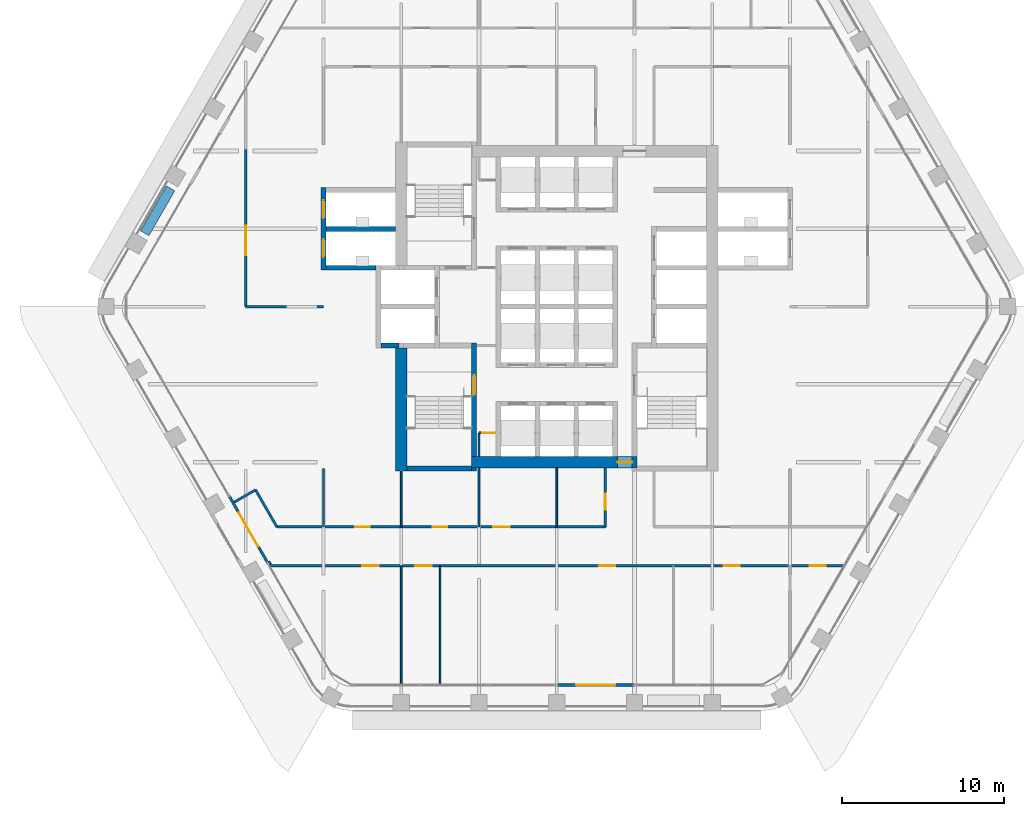
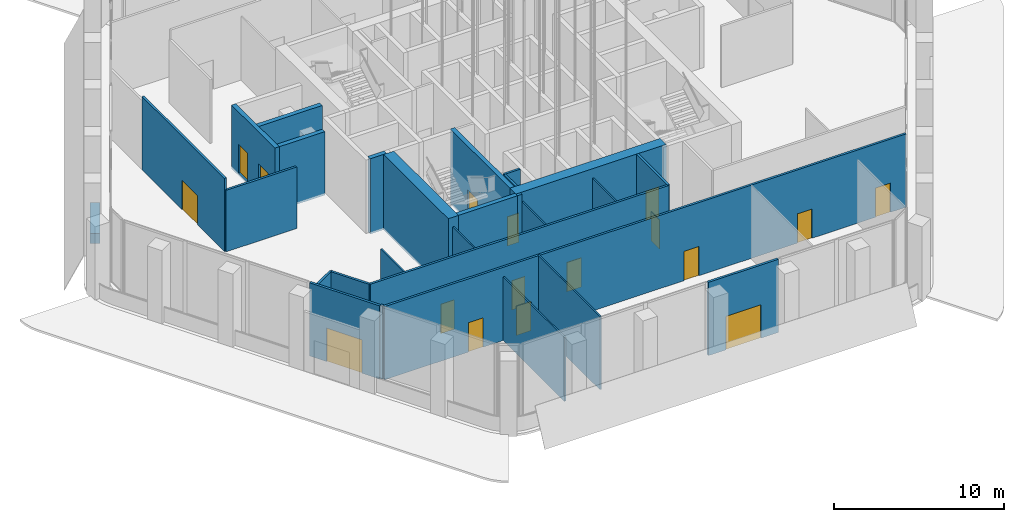
# One storey, part 8 of 42: 28 walls, 17 doors, 17 openings.
"""IFC4 building model written with IfcOpenShell, lengths in metres."""

from ifc_helpers import new_model, si_unit, direction, frame, frame_2d, origin, place, context, subcontext, project, spatial, rectangle, extrude, material, layer, layer_set, type_object, element, fill, save


model = new_model("IFC4")

# Units and contexts
model_context = context("Model", 3, precision=1e-05, world=origin(), true_north=direction((0.0, 1.0)))
body_context = subcontext(model_context, "Body", "Model", "MODEL_VIEW")
ifc_project = project(units=[si_unit("LENGTHUNIT", "METRE"), si_unit("AREAUNIT", "SQUARE_METRE"), si_unit("VOLUMEUNIT", "CUBIC_METRE"), si_unit("PLANEANGLEUNIT", "RADIAN"), si_unit("MASSUNIT", "GRAM", prefix="KILO")], contexts=[model_context])

# Site, building, storey
site_placement = place(None, origin())
site = spatial("IfcSite", under=ifc_project, at=site_placement, CompositionType="ELEMENT")
building_placement = place(site_placement, origin())
building = spatial("IfcBuilding", under=site, at=building_placement, Name="Kolab Exchange Tower", CompositionType="ELEMENT")
storey_placement = place(building_placement, frame((0.0, 0.0, 133.39990234375)))
storey = spatial("IfcBuildingStorey", under=building, at=storey_placement, Name="L26", CompositionType="ELEMENT", Elevation=133.39990234375)

# Wall, opening, door
ifc_material_1 = material(Name="Concrete C60/75", Category="concrete")
ifc_layer_1 = layer(ifc_material_1, 0.699951171875)
ifc_layer_set_1 = layer_set([ifc_layer_1], Name="Concrete C60/75")
wall_type_1 = type_object("IfcWallType", Name="CORE WALL 700 C60/75", PredefinedType="SHEAR", material=ifc_layer_set_1)
wall_1_placement = place(storey_placement, frame((-5.25, -9.60009765625, -0.14990234375), z_axis=(0.0, 0.0, 1.0), x_axis=(1.0, 0.0, 0.0)))
wall_1 = element("IfcWall", 1, at=wall_1_placement, inside=storey, type_object=wall_type_1, Name="wall/L26/core/002", PredefinedType="SHEAR", context=body_context, shape_type="SweptSolid", body=[
    extrude(rectangle(XDim=10.199951171875, YDim=0.699951171875, at=frame_2d((5.10009765625, 0.0))), origin(), (0.0, 0.0, 1.0), 5.39990234375),
])
opening_1_placement = place(wall_1_placement, frame((9.0, 0.0, 0.14990234375)))
opening_1 = element("IfcOpeningElement", 2, at=opening_1_placement, cuts=wall_1, Name="Opening D6-286", PredefinedType="OPENING", context=body_context, shape_type="SweptSolid", body=[
    extrude(rectangle(XDim=0.89990234375, YDim=2.10009765625, at=frame_2d((0.449951171875, 1.050048828125))), frame((0.0, 0.35986328125, 0.0), z_axis=(0.0, -1.0, 0.0), x_axis=(1.0, 0.0, 0.0)), (0.0, 0.0, 1.0), 0.719970703125),
])
ifc_material_2 = material(Name="Steel S235", Category="steel")
door_type_1 = type_object("IfcDoorType", Name="CORE DOOR 900 EI 120", OperationType="SINGLE_SWING_LEFT", PredefinedType="DOOR", material=ifc_material_2)
door_1_placement = place(opening_1_placement, origin())
door_1 = element("IfcDoor", 3, at=door_1_placement, inside=storey, type_object=door_type_1, Name="Core lobby door", OperationType="SINGLE_SWING_LEFT", OverallHeight=2.10009765625, OverallWidth=0.89990234375, PredefinedType="DOOR", context=body_context, shape_type="SweptSolid", body=[
    extrude(rectangle(XDim=0.89990234375, YDim=2.10009765625, at=frame_2d((0.449951171875, 1.050048828125))), frame((0.0, 0.02490234375, 0.0), z_axis=(0.0, -1.0, 0.0), x_axis=(1.0, 0.0, 0.0)), (0.0, 0.0, 1.0), 0.050048828125),
])
fill(opening_1, door_1)

# Wall
wall_2_placement = place(storey_placement, frame((-9.60009765625, -10.14990234375, -0.14990234375), z_axis=(0.0, 0.0, 1.0), x_axis=(0.0, 1.0, 0.0)))
element("IfcWall", 4, at=wall_2_placement, inside=storey, type_object=wall_type_1, Name="wall/L26/core/041", PredefinedType="SHEAR", context=body_context, shape_type="SweptSolid", body=[
    extrude(rectangle(XDim=7.599853515625, YDim=0.699951171875, at=frame_2d((3.7998046875, 0.0))), origin(), (0.0, 0.0, 1.0), 5.39990234375),
])

# Wall, opening, door
ifc_material_3 = material(Name="Aluminium EN AW-6063 T6", Category="aluminium")
ifc_layer_2 = layer(ifc_material_3, 0.159912109375)
ifc_layer_set_2 = layer_set([ifc_layer_2], Name="Aluminium EN AW-6063 T6")
wall_type_2 = type_object("IfcWallType", Name="DOOR SURROUND WALL 160 ALUMINIUM FRAMED", PredefinedType="PARTITIONING", material=ifc_layer_set_2)
wall_3_placement = place(storey_placement, frame((4.77001953125, -23.361572265625, 0.0), z_axis=(0.0, 0.0, 1.0), x_axis=(-1.0, 0.0, 0.0)))
wall_3 = element("IfcWall", 5, at=wall_3_placement, inside=storey, type_object=wall_type_2, Name="Door surround wall", PredefinedType="PARTITIONING", context=body_context, shape_type="SweptSolid", body=[
    extrude(rectangle(XDim=4.739990234375, YDim=0.159912109375, at=frame_2d((2.3701171875, 0.0))), origin(), (0.0, 0.0, 1.0), 5.25),
])
opening_2_placement = place(wall_3_placement, frame((1.169921875, 0.0, 0.0)))
opening_2 = element("IfcOpeningElement", 6, at=opening_2_placement, cuts=wall_3, Name="Opening GD1-058", PredefinedType="OPENING", context=body_context, shape_type="SweptSolid", body=[
    extrude(rectangle(XDim=2.39990234375, YDim=2.39990234375, at=frame_2d((1.199951171875, 1.199951171875))), frame((0.0, 0.08984375, 0.0), z_axis=(0.0, -1.0, 0.0), x_axis=(1.0, 0.0, 0.0)), (0.0, 0.0, 1.0), 0.179931640625),
])
door_type_2 = type_object("IfcDoorType", Name="LOGGIA SLIDING GLASS DOOR 2400 X 2400", OperationType="DOUBLE_DOOR_SINGLE_SWING", PredefinedType="DOOR", material=ifc_material_3)
door_2_placement = place(opening_2_placement, origin())
door_2 = element("IfcDoor", 7, at=door_2_placement, inside=storey, type_object=door_type_2, Name="Loggia door", OperationType="DOUBLE_DOOR_SLIDING", OverallHeight=2.39990234375, OverallWidth=2.39990234375, PredefinedType="DOOR", context=body_context, shape_type="SweptSolid", body=[
    extrude(rectangle(XDim=2.39990234375, YDim=2.39990234375, at=frame_2d((1.199951171875, 1.199951171875))), frame((0.0, 0.02490234375, 0.0), z_axis=(0.0, -1.0, 0.0), x_axis=(1.0, 0.0, 0.0)), (0.0, 0.0, 1.0), 0.050048828125),
])
fill(opening_2, door_2)

wall_4_placement = place(storey_placement, frame((-17.8466796875, -15.811767578125, 0.0), z_axis=(0.0, 0.0, 1.0), x_axis=(-0.5000167099, 0.866015756104, 0.0)))
wall_4 = element("IfcWall", 8, at=wall_4_placement, inside=storey, type_object=wall_type_2, Name="Door surround wall", PredefinedType="PARTITIONING", context=body_context, shape_type="SweptSolid", body=[
    extrude(rectangle(XDim=4.739990234375, YDim=0.159912109375, at=frame_2d((2.3701171875, 0.0))), origin(), (0.0, 0.0, 1.0), 5.25),
])
opening_3_placement = place(wall_4_placement, frame((1.169921875, 0.0, 0.0)))
opening_3 = element("IfcOpeningElement", 9, at=opening_3_placement, cuts=wall_4, Name="Opening GD1-059", PredefinedType="OPENING", context=body_context, shape_type="SweptSolid", body=[
    extrude(rectangle(XDim=2.39990234375, YDim=2.39990234375, at=frame_2d((1.199951171875, 1.199951171875))), frame((0.0, 0.08984375, 0.0), z_axis=(0.0, -1.0, 0.0), x_axis=(1.0, 0.0, 0.0)), (0.0, 0.0, 1.0), 0.179931640625),
])
door_3_placement = place(opening_3_placement, origin())
door_3 = element("IfcDoor", 10, at=door_3_placement, inside=storey, type_object=door_type_2, Name="Loggia door", OperationType="DOUBLE_DOOR_SLIDING", OverallHeight=2.39990234375, OverallWidth=2.39990234375, PredefinedType="DOOR", context=body_context, shape_type="SweptSolid", body=[
    extrude(rectangle(XDim=2.39990234375, YDim=2.39990234375, at=frame_2d((1.199951171875, 1.199951171875))), frame((0.0, 0.02490234375, 0.0), z_axis=(0.0, -1.0, 0.0), x_axis=(1.0, 0.0, 0.0)), (0.0, 0.0, 1.0), 0.050048828125),
])
fill(opening_3, door_3)

# Walls
wall_5_placement = place(storey_placement, frame((-17.780029296875, -15.772216796875, 0.0), z_axis=(0.0, 0.0, 1.0), x_axis=(0.499841654076, -0.866116805547, 0.0)))
element("IfcWall", 11, at=wall_5_placement, inside=storey, type_object=wall_type_2, Name="Door surround wall", PredefinedType="PARTITIONING", context=body_context, shape_type="SweptSolid", body=[
    extrude(rectangle(XDim=0.17724609375, YDim=0.159912109375, at=frame_2d((0.088623046875, 0.0))), origin(), (0.0, 0.0, 1.0), 5.25),
])
ifc_material_4 = material(Name="Concrete C50/60", Category="concrete")
ifc_layer_3 = layer(ifc_material_4, 0.300048828125)
ifc_layer_set_3 = layer_set([ifc_layer_3], Name="Concrete C50/60")
wall_type_3 = type_object("IfcWallType", Name="LIFT SHAFT WALL 300 C50/60", PredefinedType="STANDARD", material=ifc_layer_set_3)
wall_6_placement = place(storey_placement, frame((-10.85009765625, -2.39990234375, -0.14990234375), z_axis=(0.0, 0.0, 1.0), x_axis=(1.0, 0.0, 0.0)))
element("IfcWall", 12, at=wall_6_placement, inside=storey, type_object=wall_type_3, Name="wall/L26/core/009", PredefinedType="STANDARD", context=body_context, shape_type="SweptSolid", body=[
    extrude(rectangle(XDim=1.10009765625, YDim=0.300048828125, at=frame_2d((0.550048828125, 0.0))), origin(), (0.0, 0.0, 1.0), 5.39990234375),
])
wall_7_placement = place(storey_placement, frame((-14.25, 2.39990234375, -0.14990234375), z_axis=(0.0, 0.0, 1.0), x_axis=(1.0, 0.0, 0.0)))
element("IfcWall", 13, at=wall_7_placement, inside=storey, type_object=wall_type_3, Name="wall/L26/core/019", PredefinedType="STANDARD", context=body_context, shape_type="SweptSolid", body=[
    extrude(rectangle(XDim=3.10009765625, YDim=0.300048828125, at=frame_2d((1.550048828125, 0.0))), origin(), (0.0, 0.0, 1.0), 4.550048828125),
])
wall_8_placement = place(storey_placement, frame((-14.25, 4.800048828125, -0.14990234375), z_axis=(0.0, 0.0, 1.0), x_axis=(1.0, 0.0, 0.0)))
element("IfcWall", 14, at=wall_8_placement, inside=storey, type_object=wall_type_3, Name="wall/L26/core/028", PredefinedType="STANDARD", context=body_context, shape_type="SweptSolid", body=[
    extrude(rectangle(XDim=4.300048828125, YDim=0.300048828125, at=frame_2d((2.14990234375, 0.0))), origin(), (0.0, 0.0, 1.0), 4.550048828125),
])

# Wall, openings, doors
wall_9_placement = place(storey_placement, frame((-14.39990234375, 2.25, -0.14990234375), z_axis=(0.0, 0.0, 1.0), x_axis=(0.0, 1.0, 0.0)))
wall_9 = element("IfcWall", 15, at=wall_9_placement, inside=storey, type_object=wall_type_3, Name="wall/L26/core/039", PredefinedType="STANDARD", context=body_context, shape_type="SweptSolid", body=[
    extrude(rectangle(XDim=5.10009765625, YDim=0.300048828125, at=frame_2d((2.550048828125, 0.0))), origin(), (0.0, 0.0, 1.0), 4.550048828125),
])
opening_4_placement = place(wall_9_placement, frame((0.800048828125, 0.0, 0.14990234375)))
opening_4 = element("IfcOpeningElement", 16, at=opening_4_placement, cuts=wall_9, Name="Opening LD1-107", PredefinedType="OPENING", context=body_context, shape_type="SweptSolid", body=[
    extrude(rectangle(XDim=1.10009765625, YDim=2.10009765625, at=frame_2d((0.550048828125, 1.050048828125))), frame((0.0, 0.16015625, 0.0), z_axis=(0.0, -1.0, 0.0), x_axis=(1.0, 0.0, 0.0)), (0.0, 0.0, 1.0), 0.320068359375),
])
opening_5_placement = place(wall_9_placement, frame((3.199951171875, 0.0, 0.14990234375)))
opening_5 = element("IfcOpeningElement", 17, at=opening_5_placement, cuts=wall_9, Name="Opening LD1-108", PredefinedType="OPENING", context=body_context, shape_type="SweptSolid", body=[
    extrude(rectangle(XDim=1.10009765625, YDim=2.10009765625, at=frame_2d((0.550048828125, 1.050048828125))), frame((0.0, 0.16015625, 0.0), z_axis=(0.0, -1.0, 0.0), x_axis=(1.0, 0.0, 0.0)), (0.0, 0.0, 1.0), 0.320068359375),
])
ifc_material_5 = material(Name="Stainless steel 316", Category="steel")
door_type_3 = type_object("IfcDoorType", Name="LANDING DOOR 1100 PASSENGER", OperationType="DOUBLE_DOOR_SLIDING", PredefinedType="DOOR", material=ifc_material_5)
door_4_placement = place(opening_4_placement, origin())
door_4 = element("IfcDoor", 18, at=door_4_placement, inside=storey, type_object=door_type_3, Name="Landing door SH3", OperationType="DOUBLE_DOOR_SLIDING", OverallHeight=2.10009765625, OverallWidth=1.10009765625, PredefinedType="DOOR", context=body_context, shape_type="SweptSolid", body=[
    extrude(rectangle(XDim=1.10009765625, YDim=2.10009765625, at=frame_2d((0.550048828125, 1.050048828125))), frame((0.0, 0.02490234375, 0.0), z_axis=(0.0, -1.0, 0.0), x_axis=(1.0, 0.0, 0.0)), (0.0, 0.0, 1.0), 0.050048828125),
])
fill(opening_4, door_4)
door_5_placement = place(opening_5_placement, origin())
door_5 = element("IfcDoor", 19, at=door_5_placement, inside=storey, type_object=door_type_3, Name="Landing door SH4", OperationType="DOUBLE_DOOR_SLIDING", OverallHeight=2.10009765625, OverallWidth=1.10009765625, PredefinedType="DOOR", context=body_context, shape_type="SweptSolid", body=[
    extrude(rectangle(XDim=1.10009765625, YDim=2.10009765625, at=frame_2d((0.550048828125, 1.050048828125))), frame((0.0, 0.02490234375, 0.0), z_axis=(0.0, -1.0, 0.0), x_axis=(1.0, 0.0, 0.0)), (0.0, 0.0, 1.0), 0.050048828125),
])
fill(opening_5, door_5)

# Walls
ifc_material_6 = material(Name="Gypsum board", Category="gypsum")
ifc_layer_4 = layer(ifc_material_6, 0.10009765625)
ifc_layer_set_4 = layer_set([ifc_layer_4], Name="Gypsum board")
wall_type_4 = type_object("IfcWallType", Name="PARTITION 100", PredefinedType="PARTITIONING", material=ifc_layer_set_4)
for number, where, z_axis, x_axis, name in (
    (20, (0.0, -13.60009765625, 0.0), (0.0, 0.0, 1.0), (0.0, 1.0, 0.0), "Partition 011"),
    (21, (-4.800048828125, -13.60009765625, 0.0), (0.0, 0.0, 1.0), (0.0, 1.0, 0.0), "Partition 013"),
):
    element("IfcWall", number, at=place(storey_placement, frame(where, z_axis=z_axis, x_axis=x_axis)), inside=storey, type_object=wall_type_4, Name=name, PredefinedType="PARTITIONING", context=body_context, shape_type="SweptSolid", body=[
        extrude(rectangle(XDim=3.650146484375, YDim=0.10009765625, at=frame_2d((1.8251953125, 0.0))), origin(), (0.0, 0.0, 1.0), 4.566162109375),
    ])
wall_10_placement = place(storey_placement, frame((-7.199951171875, -23.271484375, 0.0), z_axis=(0.0, 0.0, 1.0), x_axis=(0.0, 1.0, 0.0)))
element("IfcWall", 22, at=wall_10_placement, inside=storey, type_object=wall_type_4, Name="Partition 018", PredefinedType="PARTITIONING", context=body_context, shape_type="SweptSolid", body=[
    extrude(rectangle(XDim=7.271484375, YDim=0.10009765625, at=frame_2d((3.6357421875, 0.0))), origin(), (0.0, 0.0, 1.0), 5.25),
])
wall_11_placement = place(storey_placement, frame((-9.60009765625, -23.271484375, 0.0), z_axis=(0.0, 0.0, 1.0), x_axis=(0.0, 1.0, 0.0)))
element("IfcWall", 23, at=wall_11_placement, inside=storey, type_object=wall_type_4, Name="Partition 019", PredefinedType="PARTITIONING", context=body_context, shape_type="SweptSolid", body=[
    extrude(rectangle(XDim=7.271484375, YDim=0.10009765625, at=frame_2d((3.6357421875, 0.0))), origin(), (0.0, 0.0, 1.0), 4.566162109375),
])
wall_12_placement = place(storey_placement, frame((-9.60009765625, -13.60009765625, 0.0), z_axis=(0.0, 0.0, 1.0), x_axis=(0.0, 1.0, 0.0)))
element("IfcWall", 24, at=wall_12_placement, inside=storey, type_object=wall_type_4, Name="Partition 020", PredefinedType="PARTITIONING", context=body_context, shape_type="SweptSolid", body=[
    extrude(rectangle(XDim=3.4501953125, YDim=0.10009765625, at=frame_2d((1.72509765625, 0.0))), origin(), (0.0, 0.0, 1.0), 4.566162109375),
])
wall_13_placement = place(storey_placement, frame((-14.39990234375, -13.60009765625, 0.0), z_axis=(0.0, 0.0, 1.0), x_axis=(0.0, 1.0, 0.0)))
element("IfcWall", 25, at=wall_13_placement, inside=storey, type_object=wall_type_4, Name="Partition 022", PredefinedType="PARTITIONING", context=body_context, shape_type="SweptSolid", body=[
    extrude(rectangle(XDim=3.60009765625, YDim=0.10009765625, at=frame_2d((1.800048828125, 0.0))), origin(), (0.0, 0.0, 1.0), 4.566162109375),
])

# Wall, opening, door
ifc_layer_5 = layer(ifc_material_6, 0.14990234375)
ifc_layer_set_5 = layer_set([ifc_layer_5], Name="Gypsum board")
wall_type_5 = type_object("IfcWallType", Name="PARTITION 150 FIRE-RATED", PredefinedType="PARTITIONING", material=ifc_layer_set_5)
wall_14_placement = place(storey_placement, frame((3.0, -13.60009765625, 0.0), z_axis=(0.0, 0.0, 1.0), x_axis=(0.0, 1.0, 0.0)))
wall_14 = element("IfcWall", 26, at=wall_14_placement, inside=storey, type_object=wall_type_5, Name="Partition 009", PredefinedType="PARTITIONING", context=body_context, shape_type="SweptSolid", body=[
    extrude(rectangle(XDim=3.650146484375, YDim=0.14990234375, at=frame_2d((1.8251953125, 0.0))), origin(), (0.0, 0.0, 1.0), 5.25),
])
opening_6_placement = place(wall_14_placement, frame((1.044921875, 0.0, 0.0)))
opening_6 = element("IfcOpeningElement", 27, at=opening_6_placement, cuts=wall_14, Name="Opening D1-390", PredefinedType="OPENING", context=body_context, shape_type="SweptSolid", body=[
    extrude(rectangle(XDim=1.0, YDim=2.10009765625, at=frame_2d((0.5, 1.050048828125))), frame((0.0, 0.0849609375, 0.0), z_axis=(0.0, -1.0, 0.0), x_axis=(1.0, 0.0, 0.0)), (0.0, 0.0, 1.0), 0.169921875),
])
door_type_4 = type_object("IfcDoorType", Name="FLUSH DOOR 1000 FD60", OperationType="SINGLE_SWING_LEFT", PredefinedType="DOOR", material=ifc_material_2)
door_6_placement = place(opening_6_placement, origin())
door_6 = element("IfcDoor", 28, at=door_6_placement, inside=storey, type_object=door_type_4, Name="Door L26-046", OperationType="SINGLE_SWING_LEFT", OverallHeight=2.10009765625, OverallWidth=1.0, PredefinedType="DOOR", context=body_context, shape_type="SweptSolid", body=[
    extrude(rectangle(XDim=1.0, YDim=2.10009765625, at=frame_2d((0.5, 1.050048828125))), frame((0.0, 0.02490234375, 0.0), z_axis=(0.0, -1.0, 0.0), x_axis=(1.0, 0.0, 0.0)), (0.0, 0.0, 1.0), 0.050048828125),
])
fill(opening_6, door_6)

# Wall
wall_15_placement = place(storey_placement, frame((-4.800048828125, -9.25, 0.0), z_axis=(0.0, 0.0, 1.0), x_axis=(0.0, 1.0, 0.0)))
element("IfcWall", 29, at=wall_15_placement, inside=storey, type_object=wall_type_5, Name="Partition 016", PredefinedType="PARTITIONING", context=body_context, shape_type="SweptSolid", body=[
    extrude(rectangle(XDim=1.449951171875, YDim=0.14990234375, at=frame_2d((0.72509765625, 0.0))), origin(), (0.0, 0.0, 1.0), 5.25),
])

# Wall, opening, door
wall_16_placement = place(storey_placement, frame((-19.199951171875, 0.0, 0.0), z_axis=(0.0, 0.0, 1.0), x_axis=(0.0, 1.0, 0.0)))
wall_16 = element("IfcWall", 30, at=wall_16_placement, inside=storey, type_object=wall_type_5, Name="Partition 024", PredefinedType="PARTITIONING", context=body_context, shape_type="SweptSolid", body=[
    extrude(rectangle(XDim=9.693603515625, YDim=0.14990234375, at=frame_2d((4.8466796875, 0.0))), origin(), (0.0, 0.0, 1.0), 5.25),
])
opening_7_placement = place(wall_16_placement, frame((3.181884765625, 0.0, 0.0)))
opening_7 = element("IfcOpeningElement", 31, at=opening_7_placement, cuts=wall_16, Name="Opening D2-038", PredefinedType="OPENING", context=body_context, shape_type="SweptSolid", body=[
    extrude(rectangle(XDim=1.800048828125, YDim=2.10009765625, at=frame_2d((0.89990234375, 1.050048828125))), frame((0.0, 0.0849609375, 0.0), z_axis=(0.0, -1.0, 0.0), x_axis=(1.0, 0.0, 0.0)), (0.0, 0.0, 1.0), 0.169921875),
])
door_type_5 = type_object("IfcDoorType", Name="DOUBLE DOOR 1800 FD60", OperationType="DOUBLE_DOOR_SINGLE_SWING", PredefinedType="DOOR", material=ifc_material_2)
door_7_placement = place(opening_7_placement, origin())
door_7 = element("IfcDoor", 32, at=door_7_placement, inside=storey, type_object=door_type_5, Name="Door L26-057", OperationType="SINGLE_SWING_RIGHT", OverallHeight=2.10009765625, OverallWidth=1.800048828125, PredefinedType="DOOR", context=body_context, shape_type="SweptSolid", body=[
    extrude(rectangle(XDim=1.800048828125, YDim=2.10009765625, at=frame_2d((0.89990234375, 1.050048828125))), frame((0.0, 0.02490234375, 0.0), z_axis=(0.0, -1.0, 0.0), x_axis=(1.0, 0.0, 0.0)), (0.0, 0.0, 1.0), 0.050048828125),
])
fill(opening_7, door_7)

# Walls
wall_17_placement = place(storey_placement, frame((-18.595947265625, -11.313720703125, 0.0), z_axis=(0.0, 0.0, 1.0), x_axis=(0.499938597367, -0.866060851709, 0.0)))
element("IfcWall", 33, at=wall_17_placement, inside=storey, type_object=wall_type_5, Name="Partition 025", PredefinedType="PARTITIONING", context=body_context, shape_type="SweptSolid", body=[
    extrude(rectangle(XDim=2.639892578125, YDim=0.14990234375, at=frame_2d((1.31982421875, 0.0))), origin(), (0.0, 0.0, 1.0), 5.25),
])
wall_18_placement = place(storey_placement, frame((-19.912353515625, -12.07373046875, 0.0), z_axis=(0.0, 0.0, 1.0), x_axis=(0.866030456496, 0.499991248344, 0.0)))
element("IfcWall", 34, at=wall_18_placement, inside=storey, type_object=wall_type_5, Name="Partition 026", PredefinedType="PARTITIONING", context=body_context, shape_type="SweptSolid", body=[
    extrude(rectangle(XDim=1.52001953125, YDim=0.14990234375, at=frame_2d((0.760009765625, 0.0))), origin(), (0.0, 0.0, 1.0), 5.25),
])

# Wall, openings, doors
wall_19_placement = place(storey_placement, frame((-17.69189453125, -16.0, 0.0), z_axis=(0.0, 0.0, 1.0), x_axis=(1.0, 0.0, 0.0)))
wall_19 = element("IfcWall", 35, at=wall_19_placement, inside=storey, type_object=wall_type_5, Name="Partition 027", PredefinedType="PARTITIONING", context=body_context, shape_type="SweptSolid", body=[
    extrude(rectangle(XDim=35.3837890625, YDim=0.14990234375, at=frame_2d((17.69189453125, 0.0))), origin(), (0.0, 0.0, 1.0), 5.25),
])
opening_8_placement = place(wall_19_placement, frame((5.692138671875, 0.0, 0.0)))
opening_8 = element("IfcOpeningElement", 36, at=opening_8_placement, cuts=wall_19, Name="Opening D1-395", PredefinedType="OPENING", context=body_context, shape_type="SweptSolid", body=[
    extrude(rectangle(XDim=1.0, YDim=2.10009765625, at=frame_2d((0.5, 1.050048828125))), frame((0.0, 0.0849609375, 0.0), z_axis=(0.0, -1.0, 0.0), x_axis=(1.0, 0.0, 0.0)), (0.0, 0.0, 1.0), 0.169921875),
])
opening_9_placement = place(wall_19_placement, frame((8.966796875, 0.0, 0.0)))
opening_9 = element("IfcOpeningElement", 37, at=opening_9_placement, cuts=wall_19, Name="Opening D1-396", PredefinedType="OPENING", context=body_context, shape_type="SweptSolid", body=[
    extrude(rectangle(XDim=1.0, YDim=2.10009765625, at=frame_2d((0.5, 1.050048828125))), frame((0.0, 0.0849609375, 0.0), z_axis=(0.0, -1.0, 0.0), x_axis=(1.0, 0.0, 0.0)), (0.0, 0.0, 1.0), 0.169921875),
])
opening_10_placement = place(wall_19_placement, frame((20.31689453125, 0.0, 0.0)))
opening_10 = element("IfcOpeningElement", 38, at=opening_10_placement, cuts=wall_19, Name="Opening D1-397", PredefinedType="OPENING", context=body_context, shape_type="SweptSolid", body=[
    extrude(rectangle(XDim=1.0, YDim=2.10009765625, at=frame_2d((0.5, 1.050048828125))), frame((0.0, 0.0849609375, 0.0), z_axis=(0.0, -1.0, 0.0), x_axis=(1.0, 0.0, 0.0)), (0.0, 0.0, 1.0), 0.169921875),
])
opening_11_placement = place(wall_19_placement, frame((27.99169921875, 0.0, 0.0)))
opening_11 = element("IfcOpeningElement", 39, at=opening_11_placement, cuts=wall_19, Name="Opening D1-398", PredefinedType="OPENING", context=body_context, shape_type="SweptSolid", body=[
    extrude(rectangle(XDim=1.0, YDim=2.10009765625, at=frame_2d((0.5, 1.050048828125))), frame((0.0, 0.0849609375, 0.0), z_axis=(0.0, -1.0, 0.0), x_axis=(1.0, 0.0, 0.0)), (0.0, 0.0, 1.0), 0.169921875),
])
opening_12_placement = place(wall_19_placement, frame((33.306884765625, 0.0, 0.0)))
opening_12 = element("IfcOpeningElement", 40, at=opening_12_placement, cuts=wall_19, Name="Opening D1-399", PredefinedType="OPENING", context=body_context, shape_type="SweptSolid", body=[
    extrude(rectangle(XDim=1.0, YDim=2.10009765625, at=frame_2d((0.5, 1.050048828125))), frame((0.0, 0.0849609375, 0.0), z_axis=(0.0, -1.0, 0.0), x_axis=(1.0, 0.0, 0.0)), (0.0, 0.0, 1.0), 0.169921875),
])
door_8_placement = place(opening_8_placement, frame((1.0, 0.0, 0.0), z_axis=(0.0, 0.0, 1.0), x_axis=(-1.0, 0.0, 0.0)))
door_8 = element("IfcDoor", 41, at=door_8_placement, inside=storey, type_object=door_type_4, Name="Door L26-051", OperationType="SINGLE_SWING_RIGHT", OverallHeight=2.10009765625, OverallWidth=1.0, PredefinedType="DOOR", context=body_context, shape_type="SweptSolid", body=[
    extrude(rectangle(XDim=1.0, YDim=2.10009765625, at=frame_2d((0.5, 1.050048828125))), frame((0.0, 0.02490234375, 0.0), z_axis=(0.0, -1.0, 0.0), x_axis=(1.0, 0.0, 0.0)), (0.0, 0.0, 1.0), 0.050048828125),
])
fill(opening_8, door_8)
door_9_placement = place(opening_9_placement, frame((1.0, 0.0, 0.0), z_axis=(0.0, 0.0, 1.0), x_axis=(-1.0, 0.0, 0.0)))
door_9 = element("IfcDoor", 42, at=door_9_placement, inside=storey, type_object=door_type_4, Name="Door L26-052", OperationType="SINGLE_SWING_RIGHT", OverallHeight=2.10009765625, OverallWidth=1.0, PredefinedType="DOOR", context=body_context, shape_type="SweptSolid", body=[
    extrude(rectangle(XDim=1.0, YDim=2.10009765625, at=frame_2d((0.5, 1.050048828125))), frame((0.0, 0.02490234375, 0.0), z_axis=(0.0, -1.0, 0.0), x_axis=(1.0, 0.0, 0.0)), (0.0, 0.0, 1.0), 0.050048828125),
])
fill(opening_9, door_9)
door_10_placement = place(opening_10_placement, frame((1.0, 0.0, 0.0), z_axis=(0.0, 0.0, 1.0), x_axis=(-1.0, 0.0, 0.0)))
door_10 = element("IfcDoor", 43, at=door_10_placement, inside=storey, type_object=door_type_4, Name="Door L26-053", OperationType="SINGLE_SWING_RIGHT", OverallHeight=2.10009765625, OverallWidth=1.0, PredefinedType="DOOR", context=body_context, shape_type="SweptSolid", body=[
    extrude(rectangle(XDim=1.0, YDim=2.10009765625, at=frame_2d((0.5, 1.050048828125))), frame((0.0, 0.02490234375, 0.0), z_axis=(0.0, -1.0, 0.0), x_axis=(1.0, 0.0, 0.0)), (0.0, 0.0, 1.0), 0.050048828125),
])
fill(opening_10, door_10)
door_11_placement = place(opening_11_placement, frame((1.0, 0.0, 0.0), z_axis=(0.0, 0.0, 1.0), x_axis=(-1.0, 0.0, 0.0)))
door_11 = element("IfcDoor", 44, at=door_11_placement, inside=storey, type_object=door_type_4, Name="Door L26-054", OperationType="SINGLE_SWING_RIGHT", OverallHeight=2.10009765625, OverallWidth=1.0, PredefinedType="DOOR", context=body_context, shape_type="SweptSolid", body=[
    extrude(rectangle(XDim=1.0, YDim=2.10009765625, at=frame_2d((0.5, 1.050048828125))), frame((0.0, 0.02490234375, 0.0), z_axis=(0.0, -1.0, 0.0), x_axis=(1.0, 0.0, 0.0)), (0.0, 0.0, 1.0), 0.050048828125),
])
fill(opening_11, door_11)
door_12_placement = place(opening_12_placement, frame((1.0, 0.0, 0.0), z_axis=(0.0, 0.0, 1.0), x_axis=(-1.0, 0.0, 0.0)))
door_12 = element("IfcDoor", 45, at=door_12_placement, inside=storey, type_object=door_type_4, Name="Door L26-055", OperationType="SINGLE_SWING_RIGHT", OverallHeight=2.10009765625, OverallWidth=1.0, PredefinedType="DOOR", context=body_context, shape_type="SweptSolid", body=[
    extrude(rectangle(XDim=1.0, YDim=2.10009765625, at=frame_2d((0.5, 1.050048828125))), frame((0.0, 0.02490234375, 0.0), z_axis=(0.0, -1.0, 0.0), x_axis=(1.0, 0.0, 0.0)), (0.0, 0.0, 1.0), 0.050048828125),
])
fill(opening_12, door_12)

wall_20_placement = place(storey_placement, frame((-17.276123046875, -13.60009765625, 0.0), z_axis=(0.0, 0.0, 1.0), x_axis=(1.0, 0.0, 0.0)))
wall_20 = element("IfcWall", 46, at=wall_20_placement, inside=storey, type_object=wall_type_5, Name="Partition 028", PredefinedType="PARTITIONING", context=body_context, shape_type="SweptSolid", body=[
    extrude(rectangle(XDim=20.276123046875, YDim=0.14990234375, at=frame_2d((10.13818359375, 0.0))), origin(), (0.0, 0.0, 1.0), 5.25),
])
opening_13_placement = place(wall_20_placement, frame((4.826171875, 0.0, 0.0)))
opening_13 = element("IfcOpeningElement", 47, at=opening_13_placement, cuts=wall_20, Name="Opening D3-036", PredefinedType="OPENING", context=body_context, shape_type="SweptSolid", body=[
    extrude(rectangle(XDim=0.89990234375, YDim=2.10009765625, at=frame_2d((0.449951171875, 1.050048828125))), frame((0.0, 0.0849609375, 0.0), z_axis=(0.0, -1.0, 0.0), x_axis=(1.0, 0.0, 0.0)), (0.0, 0.0, 1.0), 0.169921875),
])
opening_14_placement = place(wall_20_placement, frame((9.626220703125, 0.0, 0.0)))
opening_14 = element("IfcOpeningElement", 48, at=opening_14_placement, cuts=wall_20, Name="Opening D3-037", PredefinedType="OPENING", context=body_context, shape_type="SweptSolid", body=[
    extrude(rectangle(XDim=0.89990234375, YDim=2.10009765625, at=frame_2d((0.449951171875, 1.050048828125))), frame((0.0, 0.0849609375, 0.0), z_axis=(0.0, -1.0, 0.0), x_axis=(1.0, 0.0, 0.0)), (0.0, 0.0, 1.0), 0.169921875),
])
opening_15_placement = place(wall_20_placement, frame((13.361083984375, 0.0, 0.0)))
opening_15 = element("IfcOpeningElement", 49, at=opening_15_placement, cuts=wall_20, Name="Opening D1-389", PredefinedType="OPENING", context=body_context, shape_type="SweptSolid", body=[
    extrude(rectangle(XDim=1.0, YDim=2.10009765625, at=frame_2d((0.5, 1.050048828125))), frame((0.0, 0.0849609375, 0.0), z_axis=(0.0, -1.0, 0.0), x_axis=(1.0, 0.0, 0.0)), (0.0, 0.0, 1.0), 0.169921875),
])
door_13_placement = place(opening_15_placement, origin())
door_13 = element("IfcDoor", 50, at=door_13_placement, inside=storey, type_object=door_type_4, Name="Door L26-045", OperationType="SINGLE_SWING_LEFT", OverallHeight=2.10009765625, OverallWidth=1.0, PredefinedType="DOOR", context=body_context, shape_type="SweptSolid", body=[
    extrude(rectangle(XDim=1.0, YDim=2.10009765625, at=frame_2d((0.5, 1.050048828125))), frame((0.0, 0.02490234375, 0.0), z_axis=(0.0, -1.0, 0.0), x_axis=(1.0, 0.0, 0.0)), (0.0, 0.0, 1.0), 0.050048828125),
])
fill(opening_15, door_13)
door_type_6 = type_object("IfcDoorType", Name="FLUSH DOOR 900 FD60", OperationType="SINGLE_SWING_LEFT", PredefinedType="DOOR", material=ifc_material_2)
door_14_placement = place(opening_13_placement, origin())
door_14 = element("IfcDoor", 51, at=door_14_placement, inside=storey, type_object=door_type_6, Name="Door L26-043", OperationType="SINGLE_SWING_LEFT", OverallHeight=2.10009765625, OverallWidth=0.89990234375, PredefinedType="DOOR", context=body_context, shape_type="SweptSolid", body=[
    extrude(rectangle(XDim=0.89990234375, YDim=2.10009765625, at=frame_2d((0.449951171875, 1.050048828125))), frame((0.0, 0.02490234375, 0.0), z_axis=(0.0, -1.0, 0.0), x_axis=(1.0, 0.0, 0.0)), (0.0, 0.0, 1.0), 0.050048828125),
])
fill(opening_13, door_14)
door_15_placement = place(opening_14_placement, origin())
door_15 = element("IfcDoor", 52, at=door_15_placement, inside=storey, type_object=door_type_6, Name="Door L26-044", OperationType="SINGLE_SWING_LEFT", OverallHeight=2.10009765625, OverallWidth=0.89990234375, PredefinedType="DOOR", context=body_context, shape_type="SweptSolid", body=[
    extrude(rectangle(XDim=0.89990234375, YDim=2.10009765625, at=frame_2d((0.449951171875, 1.050048828125))), frame((0.0, 0.02490234375, 0.0), z_axis=(0.0, -1.0, 0.0), x_axis=(1.0, 0.0, 0.0)), (0.0, 0.0, 1.0), 0.050048828125),
])
fill(opening_14, door_15)

# Wall, opening, door
wall_21_placement = place(storey_placement, frame((-4.800048828125, -7.800048828125, 0.0), z_axis=(0.0, 0.0, 1.0), x_axis=(1.0, 0.0, 0.0)))
wall_21 = element("IfcWall", 53, at=wall_21_placement, inside=storey, type_object=wall_type_5, Name="Partition 030", PredefinedType="PARTITIONING", context=body_context, shape_type="SweptSolid", body=[
    extrude(rectangle(XDim=1.050048828125, YDim=0.14990234375, at=frame_2d((0.52490234375, 0.0))), origin(), (0.0, 0.0, 1.0), 5.25),
])
opening_16_placement = place(wall_21_placement, frame((0.199951171875, 0.0, 0.0)))
opening_16 = element("IfcOpeningElement", 54, at=opening_16_placement, cuts=wall_21, Name="Opening D7-029", PredefinedType="OPENING", context=body_context, shape_type="SweptSolid", body=[
    extrude(rectangle(XDim=0.800048828125, YDim=2.10009765625, at=frame_2d((0.39990234375, 1.050048828125))), frame((0.0, 0.0849609375, 0.0), z_axis=(0.0, -1.0, 0.0), x_axis=(1.0, 0.0, 0.0)), (0.0, 0.0, 1.0), 0.169921875),
])
door_type_7 = type_object("IfcDoorType", Name="FLUSH DOOR 800 FD60", OperationType="SINGLE_SWING_LEFT", PredefinedType="DOOR", material=ifc_material_2)
door_16_placement = place(opening_16_placement, frame((0.800048828125, 0.0, 0.0), z_axis=(0.0, 0.0, 1.0), x_axis=(-1.0, 0.0, 0.0)))
door_16 = element("IfcDoor", 55, at=door_16_placement, inside=storey, type_object=door_type_7, Name="Door L26-028", OperationType="SINGLE_SWING_RIGHT", OverallHeight=2.10009765625, OverallWidth=0.800048828125, PredefinedType="DOOR", context=body_context, shape_type="SweptSolid", body=[
    extrude(rectangle(XDim=0.800048828125, YDim=2.10009765625, at=frame_2d((0.39990234375, 1.050048828125))), frame((0.0, 0.02490234375, 0.0), z_axis=(0.0, -1.0, 0.0), x_axis=(1.0, 0.0, 0.0)), (0.0, 0.0, 1.0), 0.050048828125),
])
fill(opening_16, door_16)

# Walls
wall_22_placement = place(storey_placement, frame((-19.199951171875, 0.0, 0.0), z_axis=(0.0, 0.0, 1.0), x_axis=(1.0, 0.0, 0.0)))
element("IfcWall", 56, at=wall_22_placement, inside=storey, type_object=wall_type_5, Name="Partition 031", PredefinedType="PARTITIONING", context=body_context, shape_type="SweptSolid", body=[
    extrude(rectangle(XDim=4.800048828125, YDim=0.14990234375, at=frame_2d((2.39990234375, 0.0))), origin(), (0.0, 0.0, 1.0), 4.41015625),
])
ifc_material_7 = material(Name="Granite facing", Category="masonry")
ifc_layer_6 = layer(ifc_material_7, 0.0400390625)
ifc_material_8 = material(Name="Concrete C40/50 precast", Category="concrete")
ifc_layer_7 = layer(ifc_material_8, 0.56005859375)
ifc_layer_set_6 = layer_set([ifc_layer_6, ifc_layer_7], Name="Concrete C40/50 precast")
wall_type_6 = type_object("IfcWallType", Name="PLANTER BOX 600 X 700 SOIL DEPTH 550", PredefinedType="USERDEFINED", material=ifc_layer_set_6)
wall_23_placement = place(storey_placement, frame((-25.43701171875, 4.524658203125, 0.0), z_axis=(0.0, 0.0, 1.0), x_axis=(0.499938187974, 0.866061088033, 0.0)))
element("IfcWall", 57, at=wall_23_placement, inside=storey, type_object=wall_type_6, Name="Planter", ObjectType="PLANTER", PredefinedType="USERDEFINED", context=body_context, shape_type="SweptSolid", body=[
    extrude(rectangle(XDim=3.2001953125, YDim=0.60009765625, at=frame_2d((1.60009765625, 0.0))), origin(), (0.0, 0.0, 1.0), 0.7001953125),
])
ifc_layer_8 = layer(ifc_material_4, 0.300048828125)
ifc_layer_set_7 = layer_set([ifc_layer_8], Name="Concrete C50/60")
wall_type_7 = type_object("IfcWallType", Name="STAIR ENCLOSURE WALL 300 C50/60", PredefinedType="STANDARD", material=ifc_layer_set_7)
wall_24_placement = place(storey_placement, frame((-9.25, -10.0, -0.14990234375), z_axis=(0.0, 0.0, 1.0), x_axis=(1.0, 0.0, 0.0)))
element("IfcWall", 58, at=wall_24_placement, inside=storey, type_object=wall_type_7, Name="wall/L26/core/000", PredefinedType="STANDARD", context=body_context, shape_type="SweptSolid", body=[
    extrude(rectangle(XDim=4.0, YDim=0.300048828125, at=frame_2d((2.0, 0.0))), origin(), (0.0, 0.0, 1.0), 5.39990234375),
])
wall_25_placement = place(storey_placement, frame((-5.10009765625, -10.14990234375, -0.14990234375), z_axis=(0.0, 0.0, 1.0), x_axis=(0.0, 1.0, 0.0)))
element("IfcWall", 59, at=wall_25_placement, inside=storey, type_object=wall_type_7, Name="wall/L26/core/046", PredefinedType="STANDARD", context=body_context, shape_type="SweptSolid", body=[
    extrude(rectangle(XDim=0.199951171875, YDim=0.300048828125, at=frame_2d((0.10009765625, 0.0))), origin(), (0.0, 0.0, 1.0), 5.39990234375),
])

# Wall, opening, door
wall_26_placement = place(storey_placement, frame((-5.10009765625, -9.25, -0.14990234375), z_axis=(0.0, 0.0, 1.0), x_axis=(0.0, 1.0, 0.0)))
wall_26 = element("IfcWall", 60, at=wall_26_placement, inside=storey, type_object=wall_type_7, Name="wall/L26/core/047", PredefinedType="STANDARD", context=body_context, shape_type="SweptSolid", body=[
    extrude(rectangle(XDim=7.0, YDim=0.300048828125, at=frame_2d((3.5, 0.0))), origin(), (0.0, 0.0, 1.0), 5.39990234375),
])
opening_17_placement = place(wall_26_placement, frame((3.800048828125, 0.0, 0.14990234375)))
opening_17 = element("IfcOpeningElement", 61, at=opening_17_placement, cuts=wall_26, Name="Opening D4-064", PredefinedType="OPENING", context=body_context, shape_type="SweptSolid", body=[
    extrude(rectangle(XDim=1.199951171875, YDim=2.10009765625, at=frame_2d((0.60009765625, 1.050048828125))), frame((0.0, 0.16015625, 0.0), z_axis=(0.0, -1.0, 0.0), x_axis=(1.0, 0.0, 0.0)), (0.0, 0.0, 1.0), 0.320068359375),
])
door_type_8 = type_object("IfcDoorType", Name="STAIR DOOR 1200 EI 120", OperationType="SINGLE_SWING_LEFT", PredefinedType="DOOR", material=ifc_material_2)
door_17_placement = place(opening_17_placement, origin())
door_17 = element("IfcDoor", 62, at=door_17_placement, inside=storey, type_object=door_type_8, Name="Stair 3 door", OperationType="SINGLE_SWING_RIGHT", OverallHeight=2.10009765625, OverallWidth=1.199951171875, PredefinedType="DOOR", context=body_context, shape_type="SweptSolid", body=[
    extrude(rectangle(XDim=1.199951171875, YDim=2.10009765625, at=frame_2d((0.60009765625, 1.050048828125))), frame((0.0, 0.02490234375, 0.0), z_axis=(0.0, -1.0, 0.0), x_axis=(1.0, 0.0, 0.0)), (0.0, 0.0, 1.0), 0.050048828125),
])
fill(opening_17, door_17)

save(model, "model.ifc")
